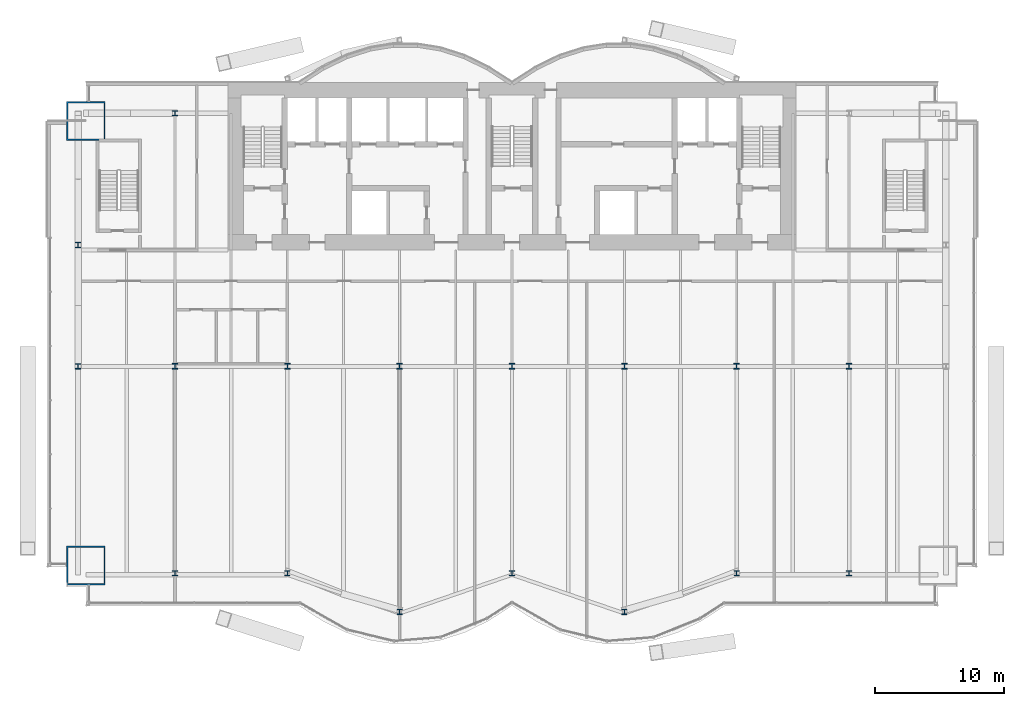
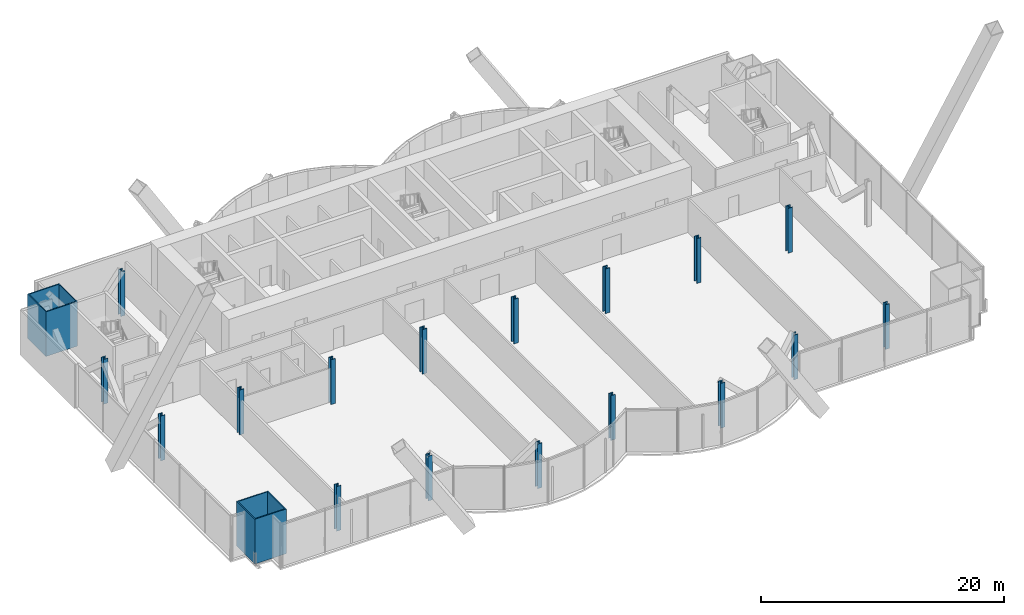
# One storey, part 1 of 23: 19 columns.
"""IFC4 building model written with IfcOpenShell, lengths in metres."""

from ifc_helpers import new_model, si_unit, direction, frame, origin, origin_2d, place, context, subcontext, project, spatial, hollow_rectangle, i_section, extrude, material, material_profile, profile_set, type_object, element, save


model = new_model("IFC4")

# Units and contexts
model_context = context("Model", 3, precision=1e-05, world=origin(), true_north=direction((0.0, 1.0)))
body_context = subcontext(model_context, "Body", "Model", "MODEL_VIEW")
ifc_project = project(units=[si_unit("LENGTHUNIT", "METRE"), si_unit("AREAUNIT", "SQUARE_METRE"), si_unit("VOLUMEUNIT", "CUBIC_METRE"), si_unit("PLANEANGLEUNIT", "RADIAN"), si_unit("MASSUNIT", "GRAM", prefix="KILO")], contexts=[model_context])

# Site, building, storey
site_placement = place(None, origin())
site = spatial("IfcSite", under=ifc_project, at=site_placement, CompositionType="ELEMENT")
building_placement = place(site_placement, origin())
building = spatial("IfcBuilding", under=site, at=building_placement, Name="Bicima Exchange Tower", CompositionType="ELEMENT")
storey_placement = place(building_placement, frame((0.0, 0.0, 62.0)))
storey = spatial("IfcBuildingStorey", under=building, at=storey_placement, Name="L12", CompositionType="ELEMENT", Elevation=62.0)

# Columns
ifc_material_1 = material(Name="Steel ASTM A992 Gr 50", Category="steel")
ifc_material_profile_1 = material_profile(ifc_material_1, i_section(OverallWidth=0.419189453125, OverallDepth=0.45458984375, WebThickness=0.042236328125, FlangeThickness=0.067626953125, at=origin_2d()))
ifc_profile_set_1 = profile_set([ifc_material_profile_1], Name="Steel ASTM A992 Gr 50")
column_type_1 = type_object("IfcColumnType", Name="Interior column W14x370", PredefinedType="COLUMN", material=ifc_profile_set_1)
for number, where, z_axis, x_axis, name in (
    (1, (-26.10009765625, -22.0, 0.0), (0.0, 0.0, 1.0), (1.0, 0.0, 0.0), "Interior column interior-26.1i"),
    (2, (-17.39990234375, -22.0, 0.0), (0.0, 0.0, 1.0), (1.0, 0.0, 0.0), "Interior column interior-17.4i"),
    (3, (-8.699951171875, -22.0, 0.0), (0.0, 0.0, 1.0), (1.0, 0.0, 0.0), "Interior column interior-8.7i"),
    (4, (0.0, -22.0, 0.0), (0.0, 0.0, 1.0), (1.0, 0.0, 0.0), "Interior column interior+0.0i"),
    (5, (8.699951171875, -22.0, 0.0), (0.0, 0.0, 1.0), (1.0, 0.0, 0.0), "Interior column interior+8.7i"),
    (6, (17.39990234375, -22.0, 0.0), (0.0, 0.0, 1.0), (1.0, 0.0, 0.0), "Interior column interior+17.4i"),
    (7, (26.10009765625, -22.0, 0.0), (0.0, 0.0, 1.0), (1.0, 0.0, 0.0), "Interior column interior+26.1i"),
):
    element("IfcColumn", number, at=place(storey_placement, frame(where, z_axis=z_axis, x_axis=x_axis)), inside=storey, type_object=column_type_1, Name=name, PredefinedType="COLUMN", context=body_context, shape_type="SweptSolid", body=[
        extrude(i_section(OverallWidth=0.419189453125, OverallDepth=0.45458984375, WebThickness=0.042236328125, FlangeThickness=0.067626953125, at=origin_2d()), origin(), (0.0, 0.0, 1.0), 4.5),
    ])
ifc_material_2 = material(Name="Steel ASTM A572 Gr 50", Category="steel")
ifc_material_profile_2 = material_profile(ifc_material_2, hollow_rectangle(XDim=3.0, YDim=3.0, WallThickness=0.10009765625, at=origin_2d()))
ifc_profile_set_2 = profile_set([ifc_material_profile_2], Name="Steel ASTM A572 Gr 50")
column_type_2 = type_object("IfcColumnType", Name="Mega column BOX 3000x3000x100", PredefinedType="COLUMN", material=ifc_profile_set_2)
for number, where, z_axis, x_axis, name in (
    (8, (-33.0, -37.4140625, 0.0), (0.0, 0.0, 1.0), (1.0, 0.0, 0.0), "Mega column mega-33.0f"),
    (9, (-33.0, -3.0, 0.0), (0.0, 0.0, 1.0), (1.0, 0.0, 0.0), "Mega column mega-33.0r"),
):
    element("IfcColumn", number, at=place(storey_placement, frame(where, z_axis=z_axis, x_axis=x_axis)), inside=storey, type_object=column_type_2, Name=name, PredefinedType="COLUMN", context=body_context, shape_type="SweptSolid", body=[
        extrude(hollow_rectangle(XDim=3.0, YDim=3.0, WallThickness=0.10009765625, at=origin_2d()), origin(), (0.0, 0.0, 1.0), 4.5),
    ])
ifc_material_profile_3 = material_profile(ifc_material_1, i_section(OverallWidth=0.406494140625, OverallDepth=0.41650390625, WebThickness=0.030029296875, FlangeThickness=0.048095703125, at=origin_2d()))
ifc_profile_set_3 = profile_set([ifc_material_profile_3], Name="Steel ASTM A992 Gr 50")
column_type_3 = type_object("IfcColumnType", Name="Perimeter column W14x257", PredefinedType="COLUMN", material=ifc_profile_set_3)
for number, where, z_axis, x_axis, name in (
    (10, (-26.10009765625, -38.013916015625, 0.0), (0.0, 0.0, 1.0), (1.0, 0.0, 0.0), "Perimeter column grav-26.1f"),
    (11, (-26.10009765625, -2.39990234375, 0.0), (0.0, 0.0, 1.0), (1.0, 0.0, 0.0), "Perimeter column grav-26.1r"),
    (12, (-17.39990234375, -38.013916015625, 0.0), (0.0, 0.0, 1.0), (1.0, 0.0, 0.0), "Perimeter column grav-17.4f"),
    (13, (-8.699951171875, -41.005126953125, 0.0), (0.0, 0.0, 1.0), (1.0, 0.0, 0.0), "Perimeter column grav-8.7f"),
    (14, (0.0, -38.013916015625, 0.0), (0.0, 0.0, 1.0), (1.0, 0.0, 0.0), "Perimeter column grav-0.0f"),
    (15, (8.699951171875, -41.005126953125, 0.0), (0.0, 0.0, 1.0), (1.0, 0.0, 0.0), "Perimeter column grav+8.7f"),
    (16, (17.39990234375, -38.013916015625, 0.0), (0.0, 0.0, 1.0), (1.0, 0.0, 0.0), "Perimeter column grav+17.4f"),
    (17, (26.10009765625, -38.013916015625, 0.0), (0.0, 0.0, 1.0), (1.0, 0.0, 0.0), "Perimeter column grav+26.1f"),
    (18, (-33.60009765625, -12.60009765625, 0.0), (0.0, 0.0, 1.0), (1.0, 0.0, 0.0), "End column end-33.6e"),
    (19, (-33.60009765625, -22.0, 0.0), (0.0, 0.0, 1.0), (1.0, 0.0, 0.0), "End column end-33.6e"),
):
    element("IfcColumn", number, at=place(storey_placement, frame(where, z_axis=z_axis, x_axis=x_axis)), inside=storey, type_object=column_type_3, Name=name, PredefinedType="COLUMN", context=body_context, shape_type="SweptSolid", body=[
        extrude(i_section(OverallWidth=0.406494140625, OverallDepth=0.41650390625, WebThickness=0.030029296875, FlangeThickness=0.048095703125, at=origin_2d()), origin(), (0.0, 0.0, 1.0), 4.5),
    ])

save(model, "model.ifc")
